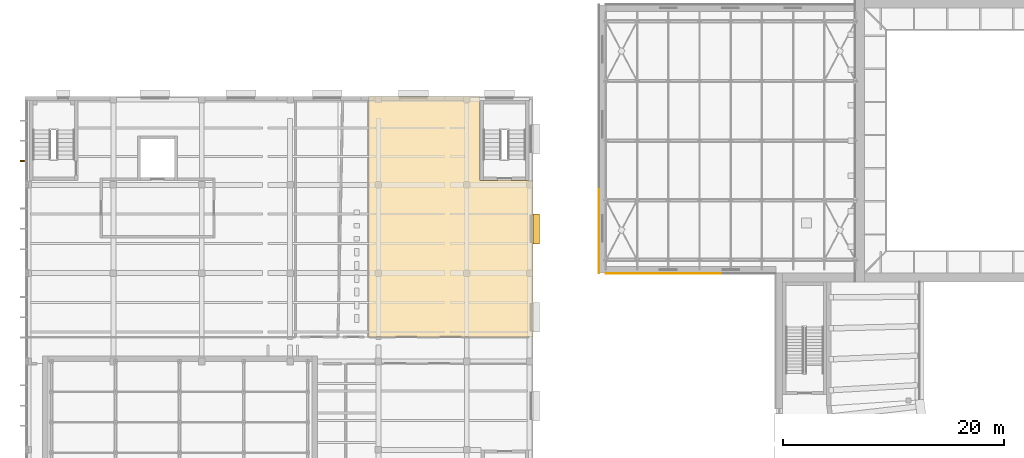
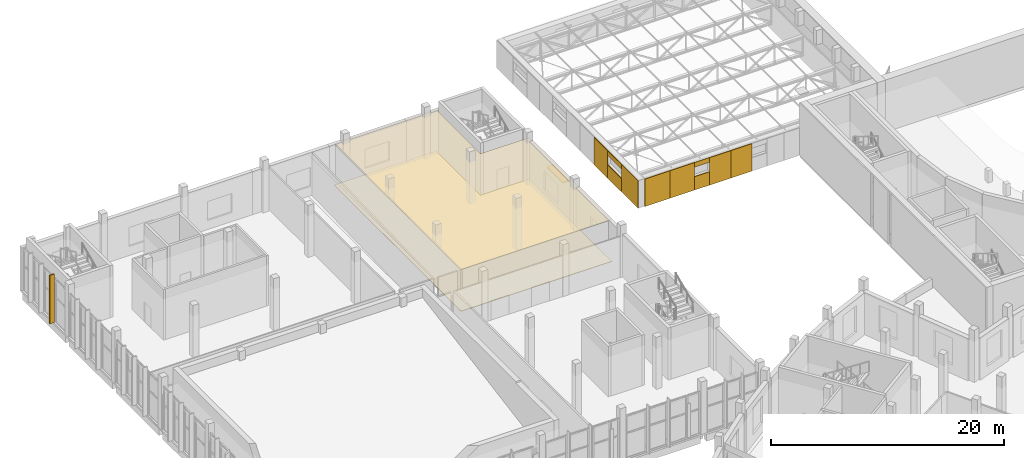
# One storey, part 113 of 132: 12 coverings, 2 shading devices.
"""IFC4 building model written with IfcOpenShell, lengths in metres."""

from ifc_helpers import new_model, si_unit, direction, frame, origin, origin_2d, place, context, subcontext, project, spatial, polyline, rectangle, outline, extrude, material, layer, layer_set, type_object, element, save


model = new_model("IFC4")

# Units and contexts
model_context = context("Model", 3, precision=1e-05, world=origin(), true_north=direction((0.0, 1.0)))
body_context = subcontext(model_context, "Body", "Model", "MODEL_VIEW")
ifc_project = project(units=[si_unit("LENGTHUNIT", "METRE"), si_unit("AREAUNIT", "SQUARE_METRE"), si_unit("VOLUMEUNIT", "CUBIC_METRE"), si_unit("PLANEANGLEUNIT", "RADIAN"), si_unit("MASSUNIT", "GRAM", prefix="KILO")], contexts=[model_context])

# Site, building, storey
site_placement = place(None, origin())
site = spatial("IfcSite", under=ifc_project, at=site_placement, CompositionType="ELEMENT")
building_placement = place(site_placement, origin())
building = spatial("IfcBuilding", under=site, at=building_placement, Name="Lunette Opera House", CompositionType="ELEMENT")
storey_placement = place(building_placement, frame((0.0, 0.0, 17.0)))
storey = spatial("IfcBuildingStorey", under=building, at=storey_placement, Name="L03", CompositionType="ELEMENT", Elevation=17.0)

# Shading device
ifc_material_1 = material(Name="Powder-coated aluminium", Category="aluminium")
shading_device_type_1 = type_object("IfcShadingDeviceType", Name="SOLAR FIN 100 X 450", PredefinedType="USERDEFINED", material=ifc_material_1)
shading_device_1_placement = place(storey_placement, frame((7.76708984375, 106.156005859375, 0.114501953125), z_axis=(0.0, 0.0, 1.0), x_axis=(-1.0, 0.0, 0.0)))
element("IfcShadingDevice", 1, at=shading_device_1_placement, inside=storey, type_object=shading_device_type_1, Name="Solar fin RW-X2043 3", ObjectType="SOLAR FIN", PredefinedType="USERDEFINED", context=body_context, shape_type="SweptSolid", body=[
    extrude(rectangle(XDim=0.449951171875, YDim=0.10009765625, at=origin_2d()), origin(), (0.0, 0.0, 1.0), 5.0849609375),
])

# Coverings
ifc_material_2 = material(Name="Aluminium standing seam cladding", Category="aluminium")
ifc_layer_1 = layer(ifc_material_2, 0.06005859375)
ifc_layer_set_1 = layer_set([ifc_layer_1], Name="Aluminium standing seam cladding")
covering_type_1 = type_object("IfcCoveringType", Name="STANDING SEAM CLADDING 60", PredefinedType="CLADDING", material=ifc_layer_set_1)
covering_1_placement = place(storey_placement, frame((59.969970703125, 97.425048828125, 0.0), z_axis=(0.0, 0.0, 1.0), x_axis=(0.0, 1.0, 0.0)))
element("IfcCovering", 2, at=covering_1_placement, inside=storey, type_object=covering_type_1, Name="Standing seam cladding SW-W-1 L03 00", PredefinedType="CLADDING", context=body_context, shape_type="SweptSolid", body=[
    extrude(rectangle(XDim=2.85009765625, YDim=0.06005859375, at=origin_2d()), origin(), (0.0, 0.0, 1.0), 2.8798828125),
])
covering_2_placement = place(storey_placement, frame((59.969970703125, 100.050048828125, 0.0), z_axis=(0.0, 0.0, 1.0), x_axis=(0.0, 1.0, 0.0)))
element("IfcCovering", 3, at=covering_2_placement, inside=storey, type_object=covering_type_1, Name="Standing seam cladding SW-W-1 L03 10", PredefinedType="CLADDING", context=body_context, shape_type="SweptSolid", body=[
    extrude(rectangle(XDim=2.39990234375, YDim=0.06005859375, at=origin_2d()), origin(), (0.0, 0.0, 1.0), 1.39990234375),
])
covering_3_placement = place(storey_placement, frame((59.969970703125, 100.050048828125, 2.39990234375), z_axis=(0.0, 0.0, 1.0), x_axis=(0.0, 1.0, 0.0)))
element("IfcCovering", 4, at=covering_3_placement, inside=storey, type_object=covering_type_1, Name="Standing seam cladding SW-W-1 L03 11", PredefinedType="CLADDING", context=body_context, shape_type="SweptSolid", body=[
    extrude(rectangle(XDim=2.39990234375, YDim=0.06005859375, at=origin_2d()), origin(), (0.0, 0.0, 1.0), 0.47998046875),
])
covering_4_placement = place(storey_placement, frame((59.969970703125, 102.4169921875, 0.0), z_axis=(0.0, 0.0, 1.0), x_axis=(0.0, 1.0, 0.0)))
element("IfcCovering", 5, at=covering_4_placement, inside=storey, type_object=covering_type_1, Name="Standing seam cladding SW-W-1 L03 20", PredefinedType="CLADDING", context=body_context, shape_type="SweptSolid", body=[
    extrude(rectangle(XDim=2.3330078125, YDim=0.06005859375, at=origin_2d()), origin(), (0.0, 0.0, 1.0), 2.8798828125),
])
for number, where, z_axis, x_axis, name in (
    (6, (61.823974609375, 95.969970703125, 0.0), (0.0, 0.0, 1.0), (1.0, 0.0, 0.0), "Standing seam cladding SW-S-1 L03 00"),
    (7, (64.27294921875, 95.969970703125, 0.0), (0.0, 0.0, 1.0), (1.0, 0.0, 0.0), "Standing seam cladding SW-S-1 L03 01"),
):
    element("IfcCovering", number, at=place(storey_placement, frame(where, z_axis=z_axis, x_axis=x_axis)), inside=storey, type_object=covering_type_1, Name=name, PredefinedType="CLADDING", context=body_context, shape_type="SweptSolid", body=[
        extrude(rectangle(XDim=2.448974609375, YDim=0.06005859375, at=origin_2d()), origin(), (0.0, 0.0, 1.0), 2.8798828125),
    ])
covering_5_placement = place(storey_placement, frame((66.2470703125, 95.969970703125, 0.0), z_axis=(0.0, 0.0, 1.0), x_axis=(1.0, 0.0, 0.0)))
element("IfcCovering", 8, at=covering_5_placement, inside=storey, type_object=covering_type_1, Name="Standing seam cladding SW-S-1 L03 10", PredefinedType="CLADDING", context=body_context, shape_type="SweptSolid", body=[
    extrude(rectangle(XDim=1.5, YDim=0.06005859375, at=origin_2d()), origin(), (0.0, 0.0, 1.0), 1.39990234375),
])
covering_6_placement = place(storey_placement, frame((66.2470703125, 95.969970703125, 2.39990234375), z_axis=(0.0, 0.0, 1.0), x_axis=(1.0, 0.0, 0.0)))
element("IfcCovering", 9, at=covering_6_placement, inside=storey, type_object=covering_type_1, Name="Standing seam cladding SW-S-1 L03 11", PredefinedType="CLADDING", context=body_context, shape_type="SweptSolid", body=[
    extrude(rectangle(XDim=1.5, YDim=0.06005859375, at=origin_2d()), origin(), (0.0, 0.0, 1.0), 0.47998046875),
])
for number, where, z_axis, x_axis, name in (
    (10, (68.0458984375, 95.969970703125, 0.0), (0.0, 0.0, 1.0), (1.0, 0.0, 0.0), "Standing seam cladding SW-S-1 L03 20"),
    (11, (70.14306640625, 95.969970703125, 0.0), (0.0, 0.0, 1.0), (1.0, 0.0, 0.0), "Standing seam cladding SW-S-1 L03 21"),
):
    element("IfcCovering", number, at=place(storey_placement, frame(where, z_axis=z_axis, x_axis=x_axis)), inside=storey, type_object=covering_type_1, Name=name, PredefinedType="CLADDING", context=body_context, shape_type="SweptSolid", body=[
        extrude(rectangle(XDim=2.097900390625, YDim=0.06005859375, at=origin_2d()), origin(), (0.0, 0.0, 1.0), 2.8798828125),
    ])
ifc_material_3 = material(Name="Mineral fibre board")
ifc_layer_2 = layer(ifc_material_3, 0.014892578125)
ifc_layer_set_2 = layer_set([ifc_layer_2], Name="Mineral fibre board")
covering_type_2 = type_object("IfcCoveringType", Name="SUSPENDED ACOUSTIC CEILING 15", PredefinedType="CEILING", material=ifc_layer_set_2)
covering_7_placement = place(storey_placement, frame((0.0, 0.0, 4.385009765625)))
element("IfcCovering", 12, at=covering_7_placement, inside=storey, type_object=covering_type_2, Name="Ceiling Ensemble Practice Hall", PredefinedType="CEILING", context=body_context, shape_type="SweptSolid", body=[
    extrude(outline(polyline([(49.198974609375, 111.633056640625), (49.199951171875, 111.633056640625), (49.199951171875, 104.39990234375), (53.633056640625, 104.39990234375), (53.633056640625, 104.39892578125), (54.0, 104.39892578125), (54.0, 90.199951171875), (39.087890625, 90.199951171875), (39.087890625, 112.0), (49.198974609375, 112.0), (49.198974609375, 111.633056640625)])), origin(), (0.0, 0.0, 1.0), 0.014892578125),
])
ifc_material_4 = material(Name="Terrazzo")
ifc_layer_3 = layer(ifc_material_4, 0.06005859375)
ifc_layer_set_3 = layer_set([ifc_layer_3], Name="Terrazzo")
covering_type_3 = type_object("IfcCoveringType", Name="TERRAZZO FLOOR FINISH 60", PredefinedType="FLOORING", material=ifc_layer_set_3)
covering_8_placement = place(storey_placement, origin())
element("IfcCovering", 13, at=covering_8_placement, inside=storey, type_object=covering_type_3, Name="Floor finish Ensemble Practice Hall", PredefinedType="FLOORING", context=body_context, shape_type="SweptSolid", body=[
    extrude(outline(polyline([(49.198974609375, 111.633056640625), (49.199951171875, 111.633056640625), (49.199951171875, 104.39990234375), (53.633056640625, 104.39990234375), (53.633056640625, 104.39892578125), (54.0, 104.39892578125), (54.0, 90.199951171875), (39.087890625, 90.199951171875), (39.087890625, 112.0), (49.198974609375, 112.0), (49.198974609375, 111.633056640625)])), origin(), (0.0, 0.0, 1.0), 0.06005859375),
])

# Shading device
ifc_material_5 = material(Name="Powder-coated aluminium", Category="aluminium")
ifc_layer_4 = layer(ifc_material_5, 0.1201171875)
ifc_layer_set_4 = layer_set([ifc_layer_4], Name="Powder-coated aluminium")
shading_device_type_2 = type_object("IfcShadingDeviceType", Name="WINDOW HOOD 600 X 2700", PredefinedType="USERDEFINED", material=ifc_layer_set_4)
shading_device_2_placement = place(storey_placement, frame((54.300048828125, 100.0, 3.079833984375), z_axis=(0.0, 0.0, 1.0), x_axis=(1.0, 0.0, 0.0)))
element("IfcShadingDevice", 14, at=shading_device_2_placement, inside=storey, type_object=shading_device_type_2, Name="Window hood RW-N2041", ObjectType="WINDOW HOOD", PredefinedType="USERDEFINED", context=body_context, shape_type="SweptSolid", body=[
    extrude(rectangle(XDim=0.60009765625, YDim=2.699951171875, at=origin_2d()), origin(), (0.0, 0.0, 1.0), 0.1201171875),
])

save(model, "model.ifc")
